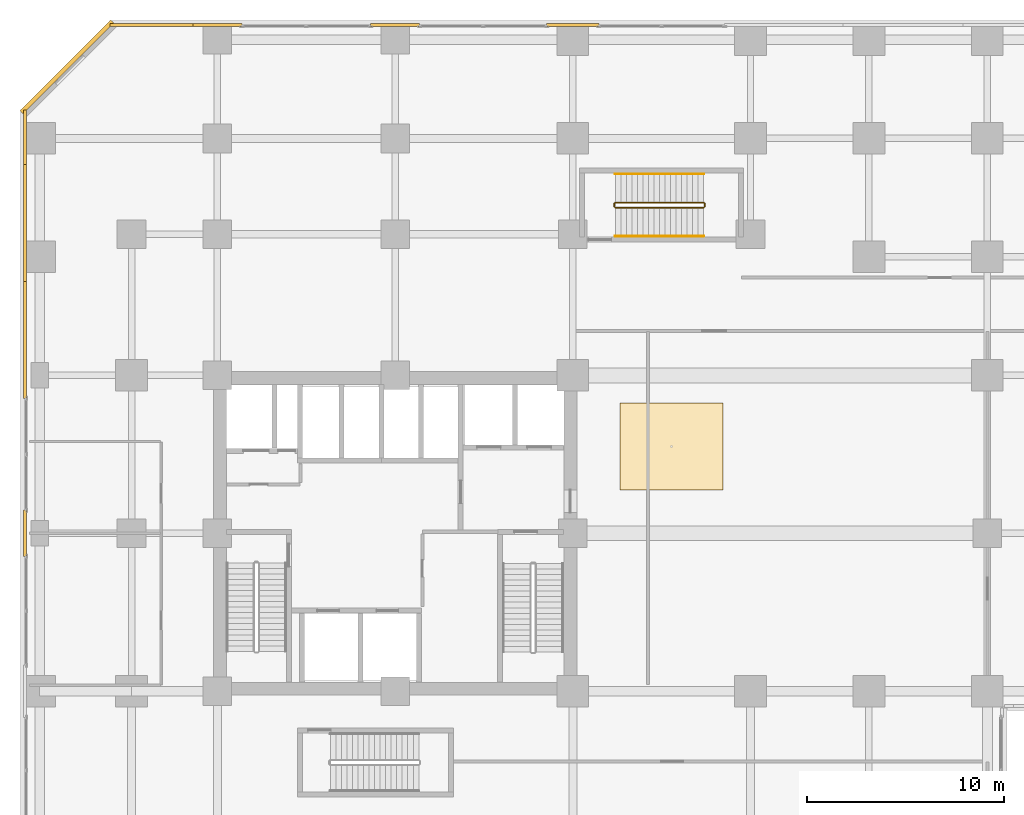
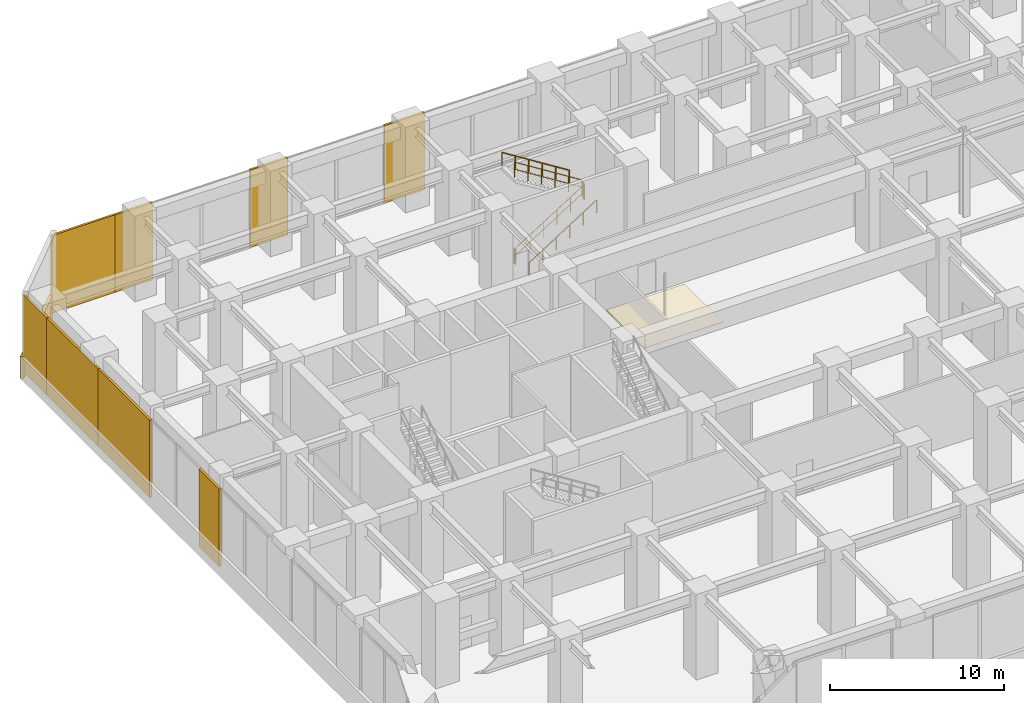
# One storey, part 32 of 34: 10 coverings, 6 railings.
"""IFC4 building model written with IfcOpenShell, lengths in metres."""

import ifcopenshell
import ifcopenshell.guid

model = None  # the IFC model being written
_history = None  # IfcOwnerHistory: only IFC2X3 demands one
_inside = {}  # id of a spatial element -> (the spatial element, [elements in it])
_under = {}  # id of a project, library or spatial element -> (it, [spatial elements below it])
_declared = {}  # id of a project -> (the project, [libraries it declares])
_typed = {}  # id of a type object -> (the type object, [elements of that type])
_made_of = {}  # id of a material, layer set ... -> (it, [elements and type objects made of it])


def new_model(schema):
    """Start an empty IFC model of exactly this schema.

    Asked for "IFC4X3", IfcOpenShell would pick the latest addendum, in which some entities
    have other attributes; the version numbers below select the first issue.
    IFC2X3 requires an IfcOwnerHistory on every rooted entity: one is made here for all.
    """
    global model, _history
    if schema == "IFC4X3":
        model = ifcopenshell.file(schema_version=(4, 3, 0, 0))
    else:
        model = ifcopenshell.file(schema=schema)
    _inside.clear()
    _under.clear()
    _declared.clear()
    _typed.clear()
    _made_of.clear()
    _history = None
    if model.schema == "IFC2X3":
        org = make("IfcOrganization", Name="unknown")
        user = make(
            "IfcPersonAndOrganization",
            ThePerson=make("IfcPerson", FamilyName="unknown"),
            TheOrganization=org,
        )
        app = make(
            "IfcApplication",
            ApplicationDeveloper=org,
            Version="unknown",
            ApplicationFullName="unknown",
            ApplicationIdentifier="unknown",
        )
        _history = make(
            "IfcOwnerHistory",
            OwningUser=user,
            OwningApplication=app,
            ChangeAction="ADDED",
            CreationDate=0,
        )
    return model


def make(cls, **values):
    """One entity of the class cls with the attributes given. An attribute that is None is left unset."""
    return model.create_entity(
        cls, **{name: value for name, value in values.items() if value is not None}
    )


def rooted(cls, **values):
    """An entity with a GlobalId (a new one), such as an element, a storey or a relation."""
    return make(cls, GlobalId=ifcopenshell.guid.new(), OwnerHistory=_history, **values)


def si_unit(unit_type, name, prefix=None):
    """IfcSIUnit, for example si_unit("LENGTHUNIT", "METRE", prefix="MILLI")."""
    return make("IfcSIUnit", UnitType=unit_type, Prefix=prefix, Name=name)


def assignment(units):
    """IfcUnitAssignment: the units of a project."""
    return None if units is None else make("IfcUnitAssignment", Units=units)


def point(xyz):
    """IfcCartesianPoint."""
    return None if xyz is None else make("IfcCartesianPoint", Coordinates=xyz)


def direction(xyz):
    """IfcDirection."""
    return None if xyz is None else make("IfcDirection", DirectionRatios=xyz)


def frame(location, z_axis=None, x_axis=None):
    """IfcAxis2Placement3D, a coordinate frame: its origin and axes. An axis left out is left unset."""
    return make(
        "IfcAxis2Placement3D",
        Location=point(location),
        Axis=direction(z_axis),
        RefDirection=direction(x_axis),
    )


def frame_2d(location, x_axis=None):
    """IfcAxis2Placement2D, a coordinate frame in the plane: its origin and x axis."""
    return make(
        "IfcAxis2Placement2D", Location=point(location), RefDirection=direction(x_axis)
    )


def origin():
    """The frame at (0, 0, 0) with its axes left unset."""
    return frame((0.0, 0.0, 0.0))


def origin_2d():
    """The frame at (0, 0) in the plane with its x axis left unset."""
    return frame_2d((0.0, 0.0))


def place(relative_to, where):
    """IfcLocalPlacement: puts the frame where relative to a parent placement (None: the world)."""
    return make(
        "IfcLocalPlacement", PlacementRelTo=relative_to, RelativePlacement=where
    )


def context(
    kind, dimensions, precision=None, world=None, true_north=None, identifier=None
):
    """IfcGeometricRepresentationContext, for example the 3D "Model" context."""
    return make(
        "IfcGeometricRepresentationContext",
        ContextIdentifier=identifier,
        ContextType=kind,
        CoordinateSpaceDimension=dimensions,
        Precision=precision,
        WorldCoordinateSystem=world,
        TrueNorth=true_north,
    )


def subcontext(parent, identifier, kind, view, scale=None):
    """IfcGeometricRepresentationSubContext, for example "Body" below "Model"."""
    return make(
        "IfcGeometricRepresentationSubContext",
        ContextIdentifier=identifier,
        ContextType=kind,
        ParentContext=parent,
        TargetScale=scale,
        TargetView=view,
    )


def project(units=None, contexts=None):
    """IfcProject with its units and contexts."""
    return rooted(
        "IfcProject",
        Name="project",
        RepresentationContexts=contexts,
        UnitsInContext=assignment(units),
    )


def spatial(cls, under=None, at=None, **own):
    """A site, building, storey or space (cls), placed at a placement, below another one or the project."""
    s = rooted(cls, ObjectPlacement=at, **own)
    if under is not None:
        _under.setdefault(under.id(), (under, []))[1].append(s)
    return s


def polyline(points):
    """IfcPolyline through the points."""
    return make("IfcPolyline", Points=[point(p) for p in points])


def profile(cls, at=None, kind="AREA", **sizes):
    """A parametric profile (cls). Its sizes go by their IFC names, for example OverallWidth=200.0."""
    return make(cls, ProfileType=kind, Position=at, **sizes)


def rectangle(**sizes):
    """IfcRectangleProfileDef."""
    return profile("IfcRectangleProfileDef", **sizes)


def circle(**sizes):
    """IfcCircleProfileDef."""
    return profile("IfcCircleProfileDef", **sizes)


def outline(outer, holes=None, kind="AREA"):
    """IfcArbitraryClosedProfileDef: a profile drawn as a closed curve; with holes, ...WithVoids."""
    if holes is None:
        return make("IfcArbitraryClosedProfileDef", ProfileType=kind, OuterCurve=outer)
    return make(
        "IfcArbitraryProfileDefWithVoids",
        ProfileType=kind,
        OuterCurve=outer,
        InnerCurves=holes,
    )


def extrude(swept, where, along, depth):
    """IfcExtrudedAreaSolid: the profile swept, set in the frame where, extruded along a direction by depth."""
    return make(
        "IfcExtrudedAreaSolid",
        SweptArea=swept,
        Position=where,
        ExtrudedDirection=direction(along),
        Depth=depth,
    )


def shape(context_of_items, identifier, shape_type, items):
    """IfcShapeRepresentation: the items that make up one representation, for example the "Body"."""
    return make(
        "IfcShapeRepresentation",
        ContextOfItems=context_of_items,
        RepresentationIdentifier=identifier,
        RepresentationType=shape_type,
        Items=items,
    )


def source(mapping_origin, context_of_items, identifier, shape_type, items):
    """IfcRepresentationMap: a shape defined once, which mapped items show again and again."""
    return make(
        "IfcRepresentationMap",
        MappingOrigin=mapping_origin,
        MappedRepresentation=shape(context_of_items, identifier, shape_type, items),
    )


def transform(
    local_origin,
    x_axis=None,
    y_axis=None,
    z_axis=None,
    scale=None,
    scale2=None,
    scale3=None,
    uniform=True,
):
    """IfcCartesianTransformationOperator3D, or its non-uniform kind. x_axis, y_axis, z_axis: its Axis1, 2, 3."""
    if uniform:
        return make(
            "IfcCartesianTransformationOperator3D",
            Axis1=direction(x_axis),
            Axis2=direction(y_axis),
            LocalOrigin=point(local_origin),
            Scale=scale,
            Axis3=direction(z_axis),
        )
    return make(
        "IfcCartesianTransformationOperator3DnonUniform",
        Axis1=direction(x_axis),
        Axis2=direction(y_axis),
        LocalOrigin=point(local_origin),
        Scale=scale,
        Axis3=direction(z_axis),
        Scale2=scale2,
        Scale3=scale3,
    )


def mapped(mapping_source, mapping_target):
    """IfcMappedItem: shows the shape of a source again, moved by a transform."""
    return make(
        "IfcMappedItem", MappingSource=mapping_source, MappingTarget=mapping_target
    )


def material(Name=None, Category=None):
    """IfcMaterial."""
    return make("IfcMaterial", Name=Name, Category=Category)


def layer(
    of_material, thickness, ventilated=None, Name=None, Category=None, Priority=None
):
    """IfcMaterialLayer: one layer of a wall or slab, of a material (None: an air gap)."""
    return make(
        "IfcMaterialLayer",
        Material=of_material,
        LayerThickness=thickness,
        IsVentilated=ventilated,
        Name=Name,
        Category=Category,
        Priority=Priority,
    )


def layer_set(layers, Name=None):
    """IfcMaterialLayerSet."""
    return make("IfcMaterialLayerSet", MaterialLayers=layers, LayerSetName=Name)


def made_of(thing, what):
    """Note that an element or type object is made of a material, layer set ...; save() writes the relation."""
    if what is not None:
        _made_of.setdefault(what.id(), (what, []))[1].append(thing)
    return thing


def type_object(cls, material=None, **own):
    """A type object (cls), such as IfcWallType, which elements share."""
    return made_of(rooted(cls, **own), material)


def element(
    cls,
    number,
    at=None,
    inside=None,
    cuts=None,
    type_object=None,
    material=None,
    context=None,
    identifier="Body",
    shape_type=None,
    held_by="IfcProductDefinitionShape",
    body=None,
    shapes=None,
    **own,
):
    """One element of the class cls, such as IfcWall. Its Tag is "e" and its number.

    at: its placement. inside: the storey or other place that contains it. cuts: it is an
    opening in that element (IfcRelVoidsElement). A single representation is given by context,
    identifier, shape_type and body (its items); several are given by shapes. held_by: the class
    of the entity that holds the representations. save() writes the other relations.
    """
    e = rooted(cls, Tag="e%d" % number, ObjectPlacement=at, **own)
    if body is not None:
        shapes = [shape(context, identifier, shape_type, body)]
    if shapes is not None:
        e.Representation = make(held_by, Representations=shapes)
    if inside is not None:
        _inside.setdefault(inside.id(), (inside, []))[1].append(e)
    if cuts is not None:
        rooted(
            "IfcRelVoidsElement", RelatingBuildingElement=cuts, RelatedOpeningElement=e
        )
    if type_object is not None:
        _typed.setdefault(type_object.id(), (type_object, []))[1].append(e)
    return made_of(e, material)


def aggregate(whole, parts):
    """IfcRelAggregates: a whole, such as a stair, and the parts it consists of."""
    return rooted("IfcRelAggregates", RelatingObject=whole, RelatedObjects=parts)


def save(model, path):
    """Write the relations noted so far, then the file.

    IfcRelAggregates (storeys below a building ...), IfcRelContainedInSpatialStructure (elements
    in a storey), IfcRelDefinesByType, IfcRelAssociatesMaterial and IfcRelDeclares: one each for
    every whole, place, type object, material and project.
    """
    for whole, parts in _under.values():
        aggregate(whole, parts)
    for where, things in _inside.values():
        rooted(
            "IfcRelContainedInSpatialStructure",
            RelatedElements=things,
            RelatingStructure=where,
        )
    for kind, things in _typed.values():
        rooted("IfcRelDefinesByType", RelatedObjects=things, RelatingType=kind)
    for what, things in _made_of.values():
        rooted("IfcRelAssociatesMaterial", RelatedObjects=things, RelatingMaterial=what)
    for by, libraries in _declared.values():
        rooted("IfcRelDeclares", RelatingContext=by, RelatedDefinitions=libraries)
    model.write(path)


model = new_model("IFC4")

# Units and contexts
model_context = context("Model", 3, precision=1e-05, world=origin(), true_north=direction((0.0, 1.0)))
body_context = subcontext(model_context, "Body", "Model", "MODEL_VIEW")
ifc_project = project(units=[si_unit("LENGTHUNIT", "METRE"), si_unit("AREAUNIT", "SQUARE_METRE"), si_unit("VOLUMEUNIT", "CUBIC_METRE"), si_unit("PLANEANGLEUNIT", "RADIAN"), si_unit("MASSUNIT", "GRAM", prefix="KILO")], contexts=[model_context])

# Site, building, storey
site_placement = place(None, origin())
site = spatial("IfcSite", under=ifc_project, at=site_placement, CompositionType="ELEMENT")
building_placement = place(site_placement, origin())
building = spatial("IfcBuilding", under=site, at=building_placement, Name="Torre Montelarca", CompositionType="ELEMENT")
storey_placement = place(building_placement, frame((0.0, 0.0, 6.0)))
storey = spatial("IfcBuildingStorey", under=building, at=storey_placement, Name="L02", CompositionType="ELEMENT", Elevation=6.0)

# Covering
ifc_material_1 = material(Name="Micro-perforated walnut timber acoustic slat", Category="wood")
ifc_layer_1 = layer(ifc_material_1, 0.050048828125, Name="Micro-perforated walnut timber acoustic slat", Category="wood")
ifc_layer_set_1 = layer_set([ifc_layer_1], Name="Micro-perforated walnut timber acoustic slat")
covering_type_1 = type_object("IfcCoveringType", Name="COV-CEIL-WD2", PredefinedType="CEILING", material=ifc_layer_set_1)
covering_1_placement = place(storey_placement, frame((0.0, 0.0, 2.719970703125)))
element("IfcCovering", 1, at=covering_1_placement, inside=storey, type_object=covering_type_1, Name="L02 Acoustic Suspended Ceiling 01", PredefinedType="CEILING", context=body_context, shape_type="SweptSolid", body=[
    extrude(outline(polyline([(29.39990234375, 34.199951171875), (34.60009765625, 34.199951171875), (34.60009765625, 38.60009765625), (29.39990234375, 38.60009765625), (29.39990234375, 34.199951171875)])), origin(), (0.0, 0.0, 1.0), 0.050048828125),
])

# Railings
ifc_material_2 = material(Name="Powder-coated steel ASTM A500 Grade C", Category="steel")
railing_type_1 = type_object("IfcRailingType", Name="RL-GUARD-1100", PredefinedType="BALUSTRADE", material=ifc_material_2)
railing_1_placement = place(storey_placement, frame((29.14990234375, 48.5, 0.176513671875)))
element("IfcRailing", 2, at=railing_1_placement, inside=storey, type_object=railing_type_1, Name="L02 ST4 stair guard 1", PredefinedType="BALUSTRADE", context=body_context, shape_type="SweptSolid", body=[
    extrude(circle(Radius=0.02392578125, at=origin_2d()), frame((0.0, 0.0, 1.076171875), z_axis=(0.845997938375, 0.0, 0.533186166611), x_axis=(0.0, 1.0, 0.0)), (0.0, 0.0, 1.0), 5.29541015625),
    extrude(circle(Radius=0.02099609375, at=origin_2d()), frame((0.0, 0.0, 0.572021484375), z_axis=(0.845997938375, 0.0, 0.533186166611), x_axis=(0.0, 1.0, 0.0)), (0.0, 0.0, 1.0), 5.29541015625),
    extrude(circle(Radius=0.02099609375, at=origin_2d()), origin(), (0.0, 0.0, 1.0), 1.052001953125),
    extrude(circle(Radius=0.02099609375, at=origin_2d()), frame((0.89599609375, 0.0, 0.564697265625)), (0.0, 0.0, 1.0), 1.052001953125),
    extrude(circle(Radius=0.02099609375, at=origin_2d()), frame((1.7919921875, 0.0, 1.12939453125)), (0.0, 0.0, 1.0), 1.052001953125),
    extrude(circle(Radius=0.02099609375, at=origin_2d()), frame((2.68798828125, 0.0, 1.694091796875)), (0.0, 0.0, 1.0), 1.052001953125),
    extrude(circle(Radius=0.02099609375, at=origin_2d()), frame((3.583984375, 0.0, 2.2587890625)), (0.0, 0.0, 1.0), 1.052001953125),
    extrude(circle(Radius=0.02099609375, at=origin_2d()), frame((4.47998046875, 0.0, 2.823486328125)), (0.0, 0.0, 1.0), 1.052001953125),
])
railing_2_placement = place(storey_placement, frame((33.679931640625, 48.550048828125, 3.0)))
element("IfcRailing", 3, at=railing_2_placement, inside=storey, type_object=railing_type_1, Name="L02 ST4 stair guard 2", PredefinedType="BALUSTRADE", context=body_context, shape_type="SweptSolid", body=[
    extrude(circle(Radius=0.02392578125, at=origin_2d()), frame((0.0, 0.0, 1.076171875), z_axis=(0.0, 1.0, 0.0), x_axis=(-1.0, 0.0, 0.0)), (0.0, 0.0, 1.0), 0.14990234375),
    extrude(circle(Radius=0.02099609375, at=origin_2d()), frame((0.0, 0.0, 0.572021484375), z_axis=(0.0, 1.0, 0.0), x_axis=(-1.0, 0.0, 0.0)), (0.0, 0.0, 1.0), 0.14990234375),
    extrude(circle(Radius=0.02099609375, at=origin_2d()), origin(), (0.0, 0.0, 1.0), 1.052001953125),
    extrude(circle(Radius=0.02099609375, at=origin_2d()), frame((0.0, 0.14990234375, 0.0)), (0.0, 0.0, 1.0), 1.052001953125),
])
railing_3_placement = place(storey_placement, frame((33.6298828125, 48.75, 3.176513671875)))
element("IfcRailing", 4, at=railing_3_placement, inside=storey, type_object=railing_type_1, Name="L02 ST4 stair guard 3", PredefinedType="BALUSTRADE", context=body_context, shape_type="SweptSolid", body=[
    extrude(circle(Radius=0.02392578125, at=origin_2d()), frame((0.0, 0.0, 1.076171875), z_axis=(-0.845997938375, 0.0, 0.533186166611), x_axis=(0.0, -1.0, 0.0)), (0.0, 0.0, 1.0), 5.29541015625),
    extrude(circle(Radius=0.02099609375, at=origin_2d()), frame((0.0, 0.0, 0.572021484375), z_axis=(-0.845997938375, 0.0, 0.533186166611), x_axis=(0.0, -1.0, 0.0)), (0.0, 0.0, 1.0), 5.29541015625),
    extrude(circle(Radius=0.02099609375, at=origin_2d()), origin(), (0.0, 0.0, 1.0), 1.052001953125),
    extrude(circle(Radius=0.02099609375, at=origin_2d()), frame((-0.89599609375, 0.0, 0.564697265625)), (0.0, 0.0, 1.0), 1.052001953125),
    extrude(circle(Radius=0.02099609375, at=origin_2d()), frame((-1.7919921875, 0.0, 1.12939453125)), (0.0, 0.0, 1.0), 1.052001953125),
    extrude(circle(Radius=0.02099609375, at=origin_2d()), frame((-2.68798828125, 0.0, 1.694091796875)), (0.0, 0.0, 1.0), 1.052001953125),
    extrude(circle(Radius=0.02099609375, at=origin_2d()), frame((-3.583984375, 0.0, 2.2587890625)), (0.0, 0.0, 1.0), 1.052001953125),
    extrude(circle(Radius=0.02099609375, at=origin_2d()), frame((-4.47998046875, 0.0, 2.823486328125)), (0.0, 0.0, 1.0), 1.052001953125),
])
railing_4_placement = place(storey_placement, frame((29.10009765625, 48.550048828125, 0.0)))
element("IfcRailing", 5, at=railing_4_placement, inside=storey, type_object=railing_type_1, Name="L02 ST4 stair guard 4", PredefinedType="BALUSTRADE", context=body_context, shape_type="SweptSolid", body=[
    extrude(circle(Radius=0.02392578125, at=origin_2d()), frame((0.0, 0.0, 1.076171875), z_axis=(0.0, 1.0, 0.0), x_axis=(-1.0, 0.0, 0.0)), (0.0, 0.0, 1.0), 0.14990234375),
    extrude(circle(Radius=0.02099609375, at=origin_2d()), frame((0.0, 0.0, 0.572021484375), z_axis=(0.0, 1.0, 0.0), x_axis=(-1.0, 0.0, 0.0)), (0.0, 0.0, 1.0), 0.14990234375),
    extrude(circle(Radius=0.02099609375, at=origin_2d()), origin(), (0.0, 0.0, 1.0), 1.052001953125),
    extrude(circle(Radius=0.02099609375, at=origin_2d()), frame((0.0, 0.14990234375, 0.0)), (0.0, 0.0, 1.0), 1.052001953125),
])
ifc_material_3 = material(Name="Brushed stainless steel AISI 316", Category="steel")
railing_type_2 = type_object("IfcRailingType", Name="RL-HANDRAIL-900", PredefinedType="HANDRAIL", material=ifc_material_3)
railing_5_placement = place(storey_placement, frame((29.14990234375, 47.050048828125, 0.176513671875)))
element("IfcRailing", 6, at=railing_5_placement, inside=storey, type_object=railing_type_2, Name="L02 ST4 stair handrail 1", PredefinedType="HANDRAIL", context=body_context, shape_type="SweptSolid", body=[
    extrude(circle(Radius=0.02392578125, at=origin_2d()), frame((0.0, 0.0, 0.8759765625), z_axis=(0.845997938375, 0.0, 0.533186166611), x_axis=(0.0, 1.0, 0.0)), (0.0, 0.0, 1.0), 5.29541015625),
    extrude(circle(Radius=0.02099609375, at=origin_2d()), origin(), (0.0, 0.0, 1.0), 0.851806640625),
    extrude(circle(Radius=0.02099609375, at=origin_2d()), frame((0.89599609375, 0.0, 0.564697265625)), (0.0, 0.0, 1.0), 0.851806640625),
    extrude(circle(Radius=0.02099609375, at=origin_2d()), frame((1.7919921875, 0.0, 1.12939453125)), (0.0, 0.0, 1.0), 0.851806640625),
    extrude(circle(Radius=0.02099609375, at=origin_2d()), frame((2.68798828125, 0.0, 1.694091796875)), (0.0, 0.0, 1.0), 0.851806640625),
    extrude(circle(Radius=0.02099609375, at=origin_2d()), frame((3.583984375, 0.0, 2.2587890625)), (0.0, 0.0, 1.0), 0.851806640625),
    extrude(circle(Radius=0.02099609375, at=origin_2d()), frame((4.47998046875, 0.0, 2.823486328125)), (0.0, 0.0, 1.0), 0.851806640625),
])
railing_6_placement = place(storey_placement, frame((33.6298828125, 50.199951171875, 3.176513671875)))
element("IfcRailing", 7, at=railing_6_placement, inside=storey, type_object=railing_type_2, Name="L02 ST4 stair handrail 2", PredefinedType="HANDRAIL", context=body_context, shape_type="SweptSolid", body=[
    extrude(circle(Radius=0.02392578125, at=origin_2d()), frame((0.0, 0.0, 0.8759765625), z_axis=(-0.845997938375, 0.0, 0.533186166611), x_axis=(0.0, -1.0, 0.0)), (0.0, 0.0, 1.0), 5.29541015625),
    extrude(circle(Radius=0.02099609375, at=origin_2d()), origin(), (0.0, 0.0, 1.0), 0.851806640625),
    extrude(circle(Radius=0.02099609375, at=origin_2d()), frame((-0.89599609375, 0.0, 0.564697265625)), (0.0, 0.0, 1.0), 0.851806640625),
    extrude(circle(Radius=0.02099609375, at=origin_2d()), frame((-1.7919921875, 0.0, 1.12939453125)), (0.0, 0.0, 1.0), 0.851806640625),
    extrude(circle(Radius=0.02099609375, at=origin_2d()), frame((-2.68798828125, 0.0, 1.694091796875)), (0.0, 0.0, 1.0), 0.851806640625),
    extrude(circle(Radius=0.02099609375, at=origin_2d()), frame((-3.583984375, 0.0, 2.2587890625)), (0.0, 0.0, 1.0), 0.851806640625),
    extrude(circle(Radius=0.02099609375, at=origin_2d()), frame((-4.47998046875, 0.0, 2.823486328125)), (0.0, 0.0, 1.0), 0.851806640625),
])

# Coverings
ifc_material_4 = material(Name="Bush-hammered warm white precast concrete C45/55", Category="concrete")
ifc_layer_2 = layer(ifc_material_4, 0.139892578125, Name="Bush-hammered warm white precast concrete C45/55", Category="concrete")
ifc_layer_set_2 = layer_set([ifc_layer_2], Name="Bush-hammered warm white precast concrete C45/55")
covering_type_2 = type_object("IfcCoveringType", Name="COV-TRAY-CLAD", PredefinedType="CLADDING", material=ifc_layer_set_2)
shared_shape_1 = source(origin(), body_context, "Body", "SweptSolid", [
    extrude(rectangle(XDim=2.489990234375, YDim=0.139892578125, at=origin_2d()), origin(), (0.0, 0.0, 1.0), 5.449951171875),
])
for number, where, z_axis, x_axis, name in (
    (8, (18.0, 57.739990234375, 0.0), (0.0, 0.0, 1.0), (-1.0, 0.0, 0.0), "L02 Architectural Column Pier Cladding E08-10"),
    (9, (9.0, 57.739990234375, 0.0), (0.0, 0.0, 1.0), (-1.0, 0.0, 0.0), "L02 Architectural Column Pier Cladding E08-11"),
):
    element("IfcCovering", number, at=place(storey_placement, frame(where, z_axis=z_axis, x_axis=x_axis)), inside=storey, type_object=covering_type_2, Name=name, PredefinedType="CLADDING", context=body_context, shape_type="MappedRepresentation", body=[
        mapped(shared_shape_1, transform((0.0, 0.0, 0.0), scale=1.0)),
    ])
shared_shape_2 = source(origin(), body_context, "Body", "SweptSolid", [
    extrude(rectangle(XDim=2.639892578125, YDim=0.139892578125, at=origin_2d()), origin(), (0.0, 0.0, 1.0), 5.449951171875),
])
covering_2_placement = place(storey_placement, frame((27.0, 57.739990234375, 0.0), z_axis=(0.0, 0.0, 1.0), x_axis=(-1.0, 0.0, 0.0)))
element("IfcCovering", 10, at=covering_2_placement, inside=storey, type_object=covering_type_2, Name="L02 Architectural Column Pier Cladding E08-9", PredefinedType="CLADDING", context=body_context, shape_type="MappedRepresentation", body=[
    mapped(shared_shape_2, transform((0.0, 0.0, 0.0), scale=1.0)),
])
shared_shape_3 = source(origin(), body_context, "Body", "SweptSolid", [
    extrude(rectangle(XDim=6.080078125, YDim=0.139892578125, at=origin_2d()), origin(), (0.0, 0.0, 1.0), 5.449951171875),
])
covering_3_placement = place(storey_placement, frame((-0.739990234375, 47.719970703125, 0.0), z_axis=(0.0, 0.0, 1.0), x_axis=(0.0, -1.0, 0.0)))
element("IfcCovering", 11, at=covering_3_placement, inside=storey, type_object=covering_type_2, Name="L02 Architectural Column Pier Cladding E10-2", PredefinedType="CLADDING", context=body_context, shape_type="MappedRepresentation", body=[
    mapped(shared_shape_3, transform((0.0, 0.0, 0.0), scale=1.0)),
])
shared_shape_4 = source(origin(), body_context, "Body", "SweptSolid", [
    extrude(rectangle(XDim=4.27490234375, YDim=0.139892578125, at=origin_2d()), origin(), (0.0, 0.0, 1.0), 5.449951171875),
])
covering_4_placement = place(storey_placement, frame((5.697509765625, 57.739990234375, 0.0), z_axis=(0.0, 0.0, 1.0), x_axis=(-1.0, 0.0, 0.0)))
element("IfcCovering", 12, at=covering_4_placement, inside=storey, type_object=covering_type_2, Name="L02 Architectural Column Pier Cladding E08-12", PredefinedType="CLADDING", context=body_context, shape_type="MappedRepresentation", body=[
    mapped(shared_shape_4, transform((0.0, 0.0, 0.0), scale=1.0)),
])
shared_shape_5 = source(origin(), body_context, "Body", "SweptSolid", [
    extrude(rectangle(XDim=2.760009765625, YDim=0.139892578125, at=origin_2d()), origin(), (0.0, 0.0, 1.0), 5.449951171875),
])
covering_5_placement = place(storey_placement, frame((-0.739990234375, 52.06005859375, 0.0), z_axis=(0.0, 0.0, 1.0), x_axis=(0.0, -1.0, 0.0)))
element("IfcCovering", 13, at=covering_5_placement, inside=storey, type_object=covering_type_2, Name="L02 Architectural Column Pier Cladding E10-1", PredefinedType="CLADDING", context=body_context, shape_type="MappedRepresentation", body=[
    mapped(shared_shape_5, transform((0.0, 0.0, 0.0), scale=1.0)),
])
shared_shape_6 = source(origin(), body_context, "Body", "SweptSolid", [
    extrude(rectangle(XDim=5.929931640625, YDim=0.139892578125, at=origin_2d()), origin(), (0.0, 0.0, 1.0), 5.449951171875),
])
covering_6_placement = place(storey_placement, frame((-0.739990234375, 41.794921875, 0.0), z_axis=(0.0, 0.0, 1.0), x_axis=(0.0, -1.0, 0.0)))
element("IfcCovering", 14, at=covering_6_placement, inside=storey, type_object=covering_type_2, Name="L02 Architectural Column Pier Cladding E10-3", PredefinedType="CLADDING", context=body_context, shape_type="MappedRepresentation", body=[
    mapped(shared_shape_6, transform((0.0, 0.0, 0.0), scale=1.0)),
])
shared_shape_7 = source(origin(), body_context, "Body", "SweptSolid", [
    extrude(rectangle(XDim=2.340087890625, YDim=0.139892578125, at=origin_2d()), origin(), (0.0, 0.0, 1.0), 5.449951171875),
])
covering_7_placement = place(storey_placement, frame((-0.739990234375, 32.0, 0.0), z_axis=(0.0, 0.0, 1.0), x_axis=(0.0, -1.0, 0.0)))
element("IfcCovering", 15, at=covering_7_placement, inside=storey, type_object=covering_type_2, Name="L02 Architectural Column Pier Cladding E10-4", PredefinedType="CLADDING", context=body_context, shape_type="MappedRepresentation", body=[
    mapped(shared_shape_7, transform((0.0, 0.0, 0.0), scale=1.0)),
])
shared_shape_8 = source(origin(), body_context, "Body", "SweptSolid", [
    extrude(rectangle(XDim=6.48388671875, YDim=0.219970703125, at=origin_2d()), origin(), (0.0, 0.0, 1.0), 1.56005859375),
])
covering_8_placement = place(storey_placement, frame((1.37109375, 55.62890625, -0.400146484375), z_axis=(0.0, 0.0, 1.0), x_axis=(-0.707106781187, -0.707106781187, 0.0)))
element("IfcCovering", 16, at=covering_8_placement, inside=storey, type_object=covering_type_2, Name="L02 Architectural White Spandrel Tray Band PODBOT-09", PredefinedType="CLADDING", context=body_context, shape_type="MappedRepresentation", body=[
    mapped(shared_shape_8, transform((0.0, 0.0, 0.0), scale=1.0)),
])

save(model, "model.ifc")
